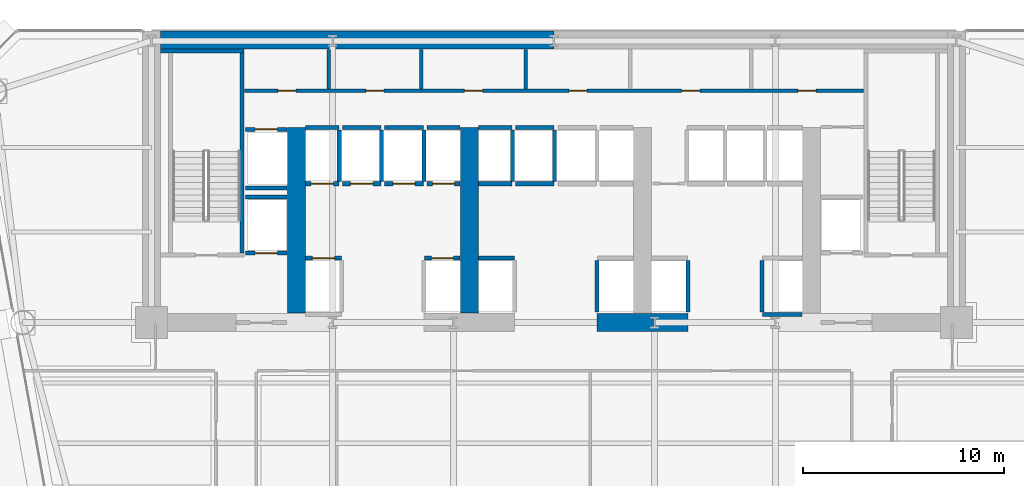
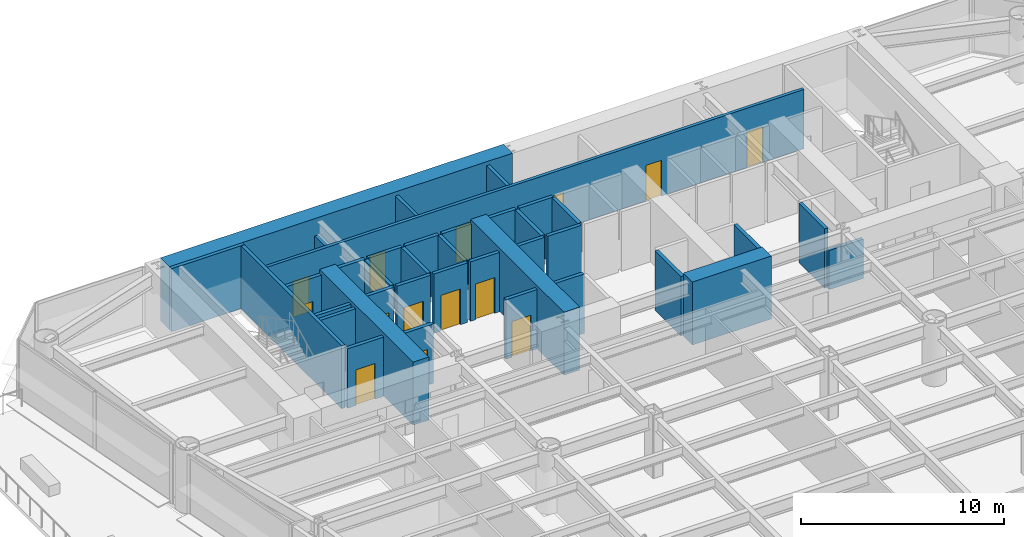
# One storey, part 9 of 14: 38 walls, 14 doors, 14 openings.
"""IFC4 building model written with IfcOpenShell, lengths in metres."""

from ifc_helpers import new_model, si_unit, direction, frame, frame_2d, origin, place, context, subcontext, project, spatial, rectangle, extrude, source, transform, mapped, material, layer, layer_set, type_object, element, fill, save


model = new_model("IFC4")

# Units and contexts
model_context = context("Model", 3, precision=1e-05, world=origin(), true_north=direction((0.0, 1.0)))
body_context = subcontext(model_context, "Body", "Model", "MODEL_VIEW")
ifc_project = project(units=[si_unit("LENGTHUNIT", "METRE"), si_unit("AREAUNIT", "SQUARE_METRE"), si_unit("VOLUMEUNIT", "CUBIC_METRE"), si_unit("PLANEANGLEUNIT", "RADIAN"), si_unit("MASSUNIT", "GRAM", prefix="KILO")], contexts=[model_context])

# Site, building, storey
site_placement = place(None, origin())
site = spatial("IfcSite", under=ifc_project, at=site_placement, CompositionType="ELEMENT")
building_placement = place(site_placement, origin())
building = spatial("IfcBuilding", under=site, at=building_placement, Name="Vaeldorn Concourse Tower", CompositionType="ELEMENT")
storey_placement = place(building_placement, frame((0.0, 0.0, 18.800048828125)))
storey = spatial("IfcBuildingStorey", under=building, at=storey_placement, Name="L04", CompositionType="ELEMENT", Elevation=18.800048828125)

# Walls
ifc_material_1 = material(Name="Concrete C60/75", Category="concrete")
ifc_layer_1 = layer(ifc_material_1, 0.89990234375)
ifc_layer_set_1 = layer_set([ifc_layer_1], Name="Concrete C60/75")
wall_type_1 = type_object("IfcWallType", Name="WL-CORE-900", PredefinedType="SHEAR", material=ifc_layer_set_1)
wall_1_placement = place(storey_placement, frame((14.4541015625, 50.550048828125, 0.0), z_axis=(0.0, 0.0, 1.0), x_axis=(1.0, 0.0, 0.0)))
element("IfcWall", 1, at=wall_1_placement, inside=storey, type_object=wall_type_1, Name="Rear Core Shear Wall L04 N1", PredefinedType="SHEAR", context=body_context, shape_type="SweptSolid", body=[
    extrude(rectangle(XDim=19.5439453125, YDim=0.89990234375, at=frame_2d((9.77197265625, 0.0))), origin(), (0.0, 0.0, 1.0), 3.800048828125),
])
wall_2_placement = place(storey_placement, frame((36.14990234375, 36.5, 0.0), z_axis=(0.0, 0.0, 1.0), x_axis=(1.0, 0.0, 0.0)))
element("IfcWall", 2, at=wall_2_placement, inside=storey, type_object=wall_type_1, Name="Rear Core Shear Wall L04 S3", PredefinedType="SHEAR", context=body_context, shape_type="SweptSolid", body=[
    extrude(rectangle(XDim=4.5, YDim=0.89990234375, at=frame_2d((2.25, 0.0))), origin(), (0.0, 0.0, 1.0), 3.800048828125),
])
for number, where, z_axis, x_axis, name in (
    (3, (21.199951171875, 36.969970703125, 0.0), (0.0, 0.0, 1.0), (0.0, 1.0, 0.0), "Rear Core Shear Wall L04 M1"),
    (4, (29.800048828125, 36.969970703125, 0.0), (0.0, 0.0, 1.0), (0.0, 1.0, 0.0), "Rear Core Shear Wall L04 M2"),
):
    element("IfcWall", number, at=place(storey_placement, frame(where, z_axis=z_axis, x_axis=x_axis)), inside=storey, type_object=wall_type_1, Name=name, PredefinedType="SHEAR", context=body_context, shape_type="SweptSolid", body=[
        extrude(rectangle(XDim=9.22998046875, YDim=0.89990234375, at=frame_2d((4.614990234375, 0.0))), origin(), (0.0, 0.0, 1.0), 3.800048828125),
    ])

# Wall, openings, doors
ifc_material_2 = material(Name="Gypsum Board Partition", Category="gypsum")
ifc_layer_2 = layer(ifc_material_2, 0.179931640625)
ifc_layer_set_2 = layer_set([ifc_layer_2], Name="Gypsum Board Partition")
wall_type_2 = type_object("IfcWallType", Name="WL-PLUMB-180", PredefinedType="PLUMBINGWALL", material=ifc_layer_set_2)
wall_3_placement = place(storey_placement, frame((18.6201171875, 48.02001953125, 0.0), z_axis=(0.0, 0.0, 1.0), x_axis=(1.0, 0.0, 0.0)))
wall_3 = element("IfcWall", 5, at=wall_3_placement, inside=storey, type_object=wall_type_2, Name="Interior Wall CW-L04-NS3", PredefinedType="PLUMBINGWALL", context=body_context, shape_type="SweptSolid", body=[
    extrude(rectangle(XDim=30.759765625, YDim=0.179931640625, at=frame_2d((15.3798828125, 0.0))), origin(), (0.0, 0.0, 1.0), 3.579833984375),
])
opening_1_placement = place(wall_3_placement, frame((1.655029296875, 0.0, 0.0)))
opening_1 = element("IfcOpeningElement", 6, at=opening_1_placement, cuts=wall_3, Name="Opening D-03", PredefinedType="OPENING", context=body_context, shape_type="SweptSolid", body=[
    extrude(rectangle(XDim=0.89990234375, YDim=2.14990234375, at=frame_2d((0.449951171875, 1.074951171875))), frame((0.0, 0.10009765625, 0.0), z_axis=(0.0, -1.0, 0.0), x_axis=(1.0, 0.0, 0.0)), (0.0, 0.0, 1.0), 0.199951171875),
])
opening_2_placement = place(wall_3_placement, frame((6.030029296875, 0.0, 0.0)))
opening_2 = element("IfcOpeningElement", 7, at=opening_2_placement, cuts=wall_3, Name="Opening D-03", PredefinedType="OPENING", context=body_context, shape_type="SweptSolid", body=[
    extrude(rectangle(XDim=0.89990234375, YDim=2.14990234375, at=frame_2d((0.449951171875, 1.074951171875))), frame((0.0, 0.10009765625, 0.0), z_axis=(0.0, -1.0, 0.0), x_axis=(1.0, 0.0, 0.0)), (0.0, 0.0, 1.0), 0.199951171875),
])
opening_3_placement = place(wall_3_placement, frame((10.929931640625, 0.0, 0.0)))
opening_3 = element("IfcOpeningElement", 8, at=opening_3_placement, cuts=wall_3, Name="Opening D-03", PredefinedType="OPENING", context=body_context, shape_type="SweptSolid", body=[
    extrude(rectangle(XDim=0.89990234375, YDim=2.14990234375, at=frame_2d((0.449951171875, 1.074951171875))), frame((0.0, 0.10009765625, 0.0), z_axis=(0.0, -1.0, 0.0), x_axis=(1.0, 0.0, 0.0)), (0.0, 0.0, 1.0), 0.199951171875),
])
opening_4_placement = place(wall_3_placement, frame((16.1298828125, 0.0, 0.0)))
opening_4 = element("IfcOpeningElement", 9, at=opening_4_placement, cuts=wall_3, Name="Opening D-03", PredefinedType="OPENING", context=body_context, shape_type="SweptSolid", body=[
    extrude(rectangle(XDim=0.89990234375, YDim=2.14990234375, at=frame_2d((0.449951171875, 1.074951171875))), frame((0.0, 0.10009765625, 0.0), z_axis=(0.0, -1.0, 0.0), x_axis=(1.0, 0.0, 0.0)), (0.0, 0.0, 1.0), 0.199951171875),
])
opening_5_placement = place(wall_3_placement, frame((21.72998046875, 0.0, 0.0)))
opening_5 = element("IfcOpeningElement", 10, at=opening_5_placement, cuts=wall_3, Name="Opening D-03", PredefinedType="OPENING", context=body_context, shape_type="SweptSolid", body=[
    extrude(rectangle(XDim=0.89990234375, YDim=2.14990234375, at=frame_2d((0.449951171875, 1.074951171875))), frame((0.0, 0.10009765625, 0.0), z_axis=(0.0, -1.0, 0.0), x_axis=(1.0, 0.0, 0.0)), (0.0, 0.0, 1.0), 0.199951171875),
])
opening_6_placement = place(wall_3_placement, frame((27.5048828125, 0.0, 0.0)))
opening_6 = element("IfcOpeningElement", 11, at=opening_6_placement, cuts=wall_3, Name="Opening D-03", PredefinedType="OPENING", context=body_context, shape_type="SweptSolid", body=[
    extrude(rectangle(XDim=0.89990234375, YDim=2.14990234375, at=frame_2d((0.449951171875, 1.074951171875))), frame((0.0, 0.10009765625, 0.0), z_axis=(0.0, -1.0, 0.0), x_axis=(1.0, 0.0, 0.0)), (0.0, 0.0, 1.0), 0.199951171875),
])
ifc_material_3 = material(Name="Acoustic Bronze-Framed Glass Door", Category="glass")
door_type_1 = type_object("IfcDoorType", Name="DR-INT-900", OperationType="NOTDEFINED", PredefinedType="DOOR", material=ifc_material_3)
shared_shape_1 = source(origin(), body_context, "Body", "SweptSolid", [
    extrude(rectangle(XDim=0.89990234375, YDim=2.14990234375, at=frame_2d((0.449951171875, 1.074951171875))), frame((0.0, 0.02490234375, 0.0), z_axis=(0.0, -1.0, 0.0), x_axis=(1.0, 0.0, 0.0)), (0.0, 0.0, 1.0), 0.050048828125),
])
door_1_placement = place(opening_1_placement, origin())
door_1 = element("IfcDoor", 12, at=door_1_placement, inside=storey, type_object=door_type_1, Name="Interior Door DR-L04-CS1", OperationType="SINGLE_SWING_LEFT", OverallHeight=2.14990234375, OverallWidth=0.89990234375, PredefinedType="DOOR", context=body_context, shape_type="MappedRepresentation", body=[
    mapped(shared_shape_1, transform((0.0, 0.0, 0.0), scale=1.0)),
])
fill(opening_1, door_1)
door_2_placement = place(opening_2_placement, origin())
door_2 = element("IfcDoor", 13, at=door_2_placement, inside=storey, type_object=door_type_1, Name="Interior Door DR-L04-CS2", OperationType="SINGLE_SWING_RIGHT", OverallHeight=2.14990234375, OverallWidth=0.89990234375, PredefinedType="DOOR", context=body_context, shape_type="MappedRepresentation", body=[
    mapped(shared_shape_1, transform((0.0, 0.0, 0.0), scale=1.0)),
])
fill(opening_2, door_2)
door_3_placement = place(opening_3_placement, origin())
door_3 = element("IfcDoor", 14, at=door_3_placement, inside=storey, type_object=door_type_1, Name="Interior Door DR-L04-CS3", OperationType="SINGLE_SWING_LEFT", OverallHeight=2.14990234375, OverallWidth=0.89990234375, PredefinedType="DOOR", context=body_context, shape_type="MappedRepresentation", body=[
    mapped(shared_shape_1, transform((0.0, 0.0, 0.0), scale=1.0)),
])
fill(opening_3, door_3)
door_4_placement = place(opening_4_placement, origin())
door_4 = element("IfcDoor", 15, at=door_4_placement, inside=storey, type_object=door_type_1, Name="Interior Door DR-L04-CS4", OperationType="SINGLE_SWING_RIGHT", OverallHeight=2.14990234375, OverallWidth=0.89990234375, PredefinedType="DOOR", context=body_context, shape_type="MappedRepresentation", body=[
    mapped(shared_shape_1, transform((0.0, 0.0, 0.0), scale=1.0)),
])
fill(opening_4, door_4)
door_5_placement = place(opening_5_placement, origin())
door_5 = element("IfcDoor", 16, at=door_5_placement, inside=storey, type_object=door_type_1, Name="Interior Door DR-L04-CS5", OperationType="SINGLE_SWING_LEFT", OverallHeight=2.14990234375, OverallWidth=0.89990234375, PredefinedType="DOOR", context=body_context, shape_type="MappedRepresentation", body=[
    mapped(shared_shape_1, transform((0.0, 0.0, 0.0), scale=1.0)),
])
fill(opening_5, door_5)
door_6_placement = place(opening_6_placement, origin())
door_6 = element("IfcDoor", 17, at=door_6_placement, inside=storey, type_object=door_type_1, Name="Interior Door DR-L04-CS6", OperationType="SINGLE_SWING_RIGHT", OverallHeight=2.14990234375, OverallWidth=0.89990234375, PredefinedType="DOOR", context=body_context, shape_type="MappedRepresentation", body=[
    mapped(shared_shape_1, transform((0.0, 0.0, 0.0), scale=1.0)),
])
fill(opening_6, door_6)

# Walls
wall_4_placement = place(storey_placement, frame((22.800048828125, 48.10009765625, 0.0), z_axis=(0.0, 0.0, 1.0), x_axis=(0.0, 1.0, 0.0)))
element("IfcWall", 18, at=wall_4_placement, inside=storey, type_object=wall_type_2, Name="Interior Wall CW-L04-NDIV1", PredefinedType="PLUMBINGWALL", context=body_context, shape_type="SweptSolid", body=[
    extrude(rectangle(XDim=1.97998046875, YDim=0.179931640625, at=frame_2d((0.989990234375, 0.0))), origin(), (0.0, 0.0, 1.0), 2.77001953125),
])
for number, where, z_axis, x_axis, name in (
    (19, (27.39990234375, 48.10009765625, 0.0), (0.0, 0.0, 1.0), (0.0, 1.0, 0.0), "Interior Wall CW-L04-NDIV2"),
    (20, (32.60009765625, 48.10009765625, 0.0), (0.0, 0.0, 1.0), (0.0, 1.0, 0.0), "Interior Wall CW-L04-NDIV3"),
):
    element("IfcWall", number, at=place(storey_placement, frame(where, z_axis=z_axis, x_axis=x_axis)), inside=storey, type_object=wall_type_2, Name=name, PredefinedType="PLUMBINGWALL", context=body_context, shape_type="SweptSolid", body=[
        extrude(rectangle(XDim=1.97998046875, YDim=0.179931640625, at=frame_2d((0.989990234375, 0.0))), origin(), (0.0, 0.0, 1.0), 3.579833984375),
    ])
ifc_material_4 = material(Name="Concrete C50/60", Category="concrete")
ifc_layer_3 = layer(ifc_material_4, 0.199951171875)
ifc_layer_set_3 = layer_set([ifc_layer_3], Name="Concrete C50/60")
wall_type_3 = type_object("IfcWallType", Name="WL-SHAFT-200", PredefinedType="SOLIDWALL", material=ifc_layer_set_3)
wall_5_placement = place(storey_placement, frame((14.449951171875, 50.0, 0.0), z_axis=(0.0, 0.0, 1.0), x_axis=(1.0, 0.0, 0.0)))
element("IfcWall", 21, at=wall_5_placement, inside=storey, type_object=wall_type_3, Name="Stair Shaft Wall CW-L04-ST-1-N", PredefinedType="SOLIDWALL", context=body_context, shape_type="SweptSolid", body=[
    extrude(rectangle(XDim=4.150146484375, YDim=0.199951171875, at=frame_2d((2.0751953125, 0.0))), origin(), (0.0, 0.0, 1.0), 3.800048828125),
])
wall_6_placement = place(storey_placement, frame((18.5, 39.9599609375, 0.0), z_axis=(0.0, 0.0, 1.0), x_axis=(0.0, 1.0, 0.0)))
element("IfcWall", 22, at=wall_6_placement, inside=storey, type_object=wall_type_3, Name="Stair Shaft Wall CW-L04-ST-1-E", PredefinedType="SOLIDWALL", context=body_context, shape_type="SweptSolid", body=[
    extrude(rectangle(XDim=9.929931640625, YDim=0.199951171875, at=frame_2d((4.96484375, 0.0))), origin(), (0.0, 0.0, 1.0), 3.800048828125),
])

# Wall, opening, door
wall_7_placement = place(storey_placement, frame((21.659912109375, 39.699951171875, 0.0), z_axis=(0.0, 0.0, 1.0), x_axis=(1.0, 0.0, 0.0)))
wall_7 = element("IfcWall", 23, at=wall_7_placement, inside=storey, type_object=wall_type_3, Name="Interior Wall CW-L04-LF-LF-01", PredefinedType="SOLIDWALL", context=body_context, shape_type="SweptSolid", body=[
    extrude(rectangle(XDim=1.77001953125, YDim=0.199951171875, at=frame_2d((0.885009765625, 0.0))), origin(), (0.0, 0.0, 1.0), 3.579833984375),
])
opening_7_placement = place(wall_7_placement, frame((0.3349609375, 0.0, 0.0)))
opening_7 = element("IfcOpeningElement", 24, at=opening_7_placement, cuts=wall_7, Name="Opening LD-1", PredefinedType="OPENING", context=body_context, shape_type="SweptSolid", body=[
    extrude(rectangle(XDim=1.10009765625, YDim=2.14990234375, at=frame_2d((0.550048828125, 1.074951171875))), frame((0.0, 0.10986328125, 0.0), z_axis=(0.0, -1.0, 0.0), x_axis=(1.0, 0.0, 0.0)), (0.0, 0.0, 1.0), 0.219970703125),
])
ifc_material_5 = material(Name="Anodised Bronze Aluminium", Category="aluminium")
door_type_2 = type_object("IfcDoorType", Name="DR-LIFT-SLIDE-1100", OperationType="DOUBLE_DOOR_SLIDING", PredefinedType="DOOR", material=ifc_material_5)
shared_shape_2 = source(origin(), body_context, "Body", "SweptSolid", [
    extrude(rectangle(XDim=1.10009765625, YDim=2.14990234375, at=frame_2d((0.550048828125, 1.074951171875))), frame((0.0, 0.02490234375, 0.0), z_axis=(0.0, -1.0, 0.0), x_axis=(1.0, 0.0, 0.0)), (0.0, 0.0, 1.0), 0.050048828125),
])
door_7_placement = place(opening_7_placement, origin())
door_7 = element("IfcDoor", 25, at=door_7_placement, inside=storey, type_object=door_type_2, Name="Lift Landing Door LD-L04-LF-01", OperationType="DOUBLE_DOOR_SLIDING", OverallHeight=2.14990234375, OverallWidth=1.10009765625, PredefinedType="DOOR", context=body_context, shape_type="MappedRepresentation", body=[
    mapped(shared_shape_2, transform((0.0, 0.0, 0.0), scale=1.0)),
])
fill(opening_7, door_7)

wall_8_placement = place(storey_placement, frame((27.570068359375, 39.699951171875, 0.0), z_axis=(0.0, 0.0, 1.0), x_axis=(1.0, 0.0, 0.0)))
wall_8 = element("IfcWall", 26, at=wall_8_placement, inside=storey, type_object=wall_type_3, Name="Interior Wall CW-L04-LF-LF-02", PredefinedType="SOLIDWALL", context=body_context, shape_type="SweptSolid", body=[
    extrude(rectangle(XDim=1.77001953125, YDim=0.199951171875, at=frame_2d((0.885009765625, 0.0))), origin(), (0.0, 0.0, 1.0), 3.579833984375),
])
opening_8_placement = place(wall_8_placement, frame((0.3349609375, 0.0, 0.0)))
opening_8 = element("IfcOpeningElement", 27, at=opening_8_placement, cuts=wall_8, Name="Opening LD-1", PredefinedType="OPENING", context=body_context, shape_type="SweptSolid", body=[
    extrude(rectangle(XDim=1.10009765625, YDim=2.14990234375, at=frame_2d((0.550048828125, 1.074951171875))), frame((0.0, 0.10986328125, 0.0), z_axis=(0.0, -1.0, 0.0), x_axis=(1.0, 0.0, 0.0)), (0.0, 0.0, 1.0), 0.219970703125),
])
door_8_placement = place(opening_8_placement, origin())
door_8 = element("IfcDoor", 28, at=door_8_placement, inside=storey, type_object=door_type_2, Name="Lift Landing Door LD-L04-LF-02", OperationType="DOUBLE_DOOR_SLIDING", OverallHeight=2.14990234375, OverallWidth=1.10009765625, PredefinedType="DOOR", context=body_context, shape_type="MappedRepresentation", body=[
    mapped(shared_shape_2, transform((0.0, 0.0, 0.0), scale=1.0)),
])
fill(opening_8, door_8)

wall_9_placement = place(storey_placement, frame((21.659912109375, 43.39990234375, 0.0), z_axis=(0.0, 0.0, 1.0), x_axis=(1.0, 0.0, 0.0)))
wall_9 = element("IfcWall", 29, at=wall_9_placement, inside=storey, type_object=wall_type_3, Name="Interior Wall CW-L04-LF-LF-03", PredefinedType="SOLIDWALL", context=body_context, shape_type="SweptSolid", body=[
    extrude(rectangle(XDim=1.650146484375, YDim=0.199951171875, at=frame_2d((0.8251953125, 0.0))), origin(), (0.0, 0.0, 1.0), 3.579833984375),
])
opening_9_placement = place(wall_9_placement, frame((0.27490234375, 0.0, 0.0)))
opening_9 = element("IfcOpeningElement", 30, at=opening_9_placement, cuts=wall_9, Name="Opening LD-1", PredefinedType="OPENING", context=body_context, shape_type="SweptSolid", body=[
    extrude(rectangle(XDim=1.10009765625, YDim=2.14990234375, at=frame_2d((0.550048828125, 1.074951171875))), frame((0.0, 0.10986328125, 0.0), z_axis=(0.0, -1.0, 0.0), x_axis=(1.0, 0.0, 0.0)), (0.0, 0.0, 1.0), 0.219970703125),
])
door_9_placement = place(opening_9_placement, origin())
door_9 = element("IfcDoor", 31, at=door_9_placement, inside=storey, type_object=door_type_2, Name="Lift Landing Door LD-L04-LF-03", OperationType="DOUBLE_DOOR_SLIDING", OverallHeight=2.14990234375, OverallWidth=1.10009765625, PredefinedType="DOOR", context=body_context, shape_type="MappedRepresentation", body=[
    mapped(shared_shape_2, transform((0.0, 0.0, 0.0), scale=1.0)),
])
fill(opening_9, door_9)

# Walls
wall_10_placement = place(storey_placement, frame((21.659912109375, 46.199951171875, 0.0), z_axis=(0.0, 0.0, 1.0), x_axis=(1.0, 0.0, 0.0)))
element("IfcWall", 32, at=wall_10_placement, inside=storey, type_object=wall_type_3, Name="Interior Wall CW-L04-LFB-LF-03", PredefinedType="SOLIDWALL", context=body_context, shape_type="SweptSolid", body=[
    extrude(rectangle(XDim=1.650146484375, YDim=0.199951171875, at=frame_2d((0.8251953125, 0.0))), origin(), (0.0, 0.0, 1.0), 3.579833984375),
])
wall_11_placement = place(storey_placement, frame((23.330078125, 43.52001953125, 0.0), z_axis=(0.0, 0.0, 1.0), x_axis=(0.0, 1.0, 0.0)))
element("IfcWall", 33, at=wall_11_placement, inside=storey, type_object=wall_type_3, Name="Interior Wall CW-L04-LFE-LF-03", PredefinedType="SOLIDWALL", context=body_context, shape_type="SweptSolid", body=[
    extrude(rectangle(XDim=2.56005859375, YDim=0.199951171875, at=frame_2d((1.280029296875, 0.0))), origin(), (0.0, 0.0, 1.0), 3.579833984375),
])

# Wall, opening, door
wall_12_placement = place(storey_placement, frame((23.489990234375, 43.39990234375, 0.0), z_axis=(0.0, 0.0, 1.0), x_axis=(1.0, 0.0, 0.0)))
wall_12 = element("IfcWall", 34, at=wall_12_placement, inside=storey, type_object=wall_type_3, Name="Interior Wall CW-L04-LF-LF-04", PredefinedType="SOLIDWALL", context=body_context, shape_type="SweptSolid", body=[
    extrude(rectangle(XDim=1.919921875, YDim=0.199951171875, at=frame_2d((0.9599609375, 0.0))), origin(), (0.0, 0.0, 1.0), 3.579833984375),
])
opening_10_placement = place(wall_12_placement, frame((0.409912109375, 0.0, 0.0)))
opening_10 = element("IfcOpeningElement", 35, at=opening_10_placement, cuts=wall_12, Name="Opening LD-1", PredefinedType="OPENING", context=body_context, shape_type="SweptSolid", body=[
    extrude(rectangle(XDim=1.10009765625, YDim=2.14990234375, at=frame_2d((0.550048828125, 1.074951171875))), frame((0.0, 0.10986328125, 0.0), z_axis=(0.0, -1.0, 0.0), x_axis=(1.0, 0.0, 0.0)), (0.0, 0.0, 1.0), 0.219970703125),
])
door_10_placement = place(opening_10_placement, origin())
door_10 = element("IfcDoor", 36, at=door_10_placement, inside=storey, type_object=door_type_2, Name="Lift Landing Door LD-L04-LF-04", OperationType="DOUBLE_DOOR_SLIDING", OverallHeight=2.14990234375, OverallWidth=1.10009765625, PredefinedType="DOOR", context=body_context, shape_type="MappedRepresentation", body=[
    mapped(shared_shape_2, transform((0.0, 0.0, 0.0), scale=1.0)),
])
fill(opening_10, door_10)

# Walls
wall_13_placement = place(storey_placement, frame((23.489990234375, 46.199951171875, 0.0), z_axis=(0.0, 0.0, 1.0), x_axis=(1.0, 0.0, 0.0)))
element("IfcWall", 37, at=wall_13_placement, inside=storey, type_object=wall_type_3, Name="Interior Wall CW-L04-LFB-LF-04", PredefinedType="SOLIDWALL", context=body_context, shape_type="SweptSolid", body=[
    extrude(rectangle(XDim=1.919921875, YDim=0.199951171875, at=frame_2d((0.9599609375, 0.0))), origin(), (0.0, 0.0, 1.0), 3.579833984375),
])
wall_14_placement = place(storey_placement, frame((25.429931640625, 43.52001953125, 0.0), z_axis=(0.0, 0.0, 1.0), x_axis=(0.0, 1.0, 0.0)))
element("IfcWall", 38, at=wall_14_placement, inside=storey, type_object=wall_type_3, Name="Interior Wall CW-L04-LFE-LF-04", PredefinedType="SOLIDWALL", context=body_context, shape_type="SweptSolid", body=[
    extrude(rectangle(XDim=2.56005859375, YDim=0.199951171875, at=frame_2d((1.280029296875, 0.0))), origin(), (0.0, 0.0, 1.0), 3.579833984375),
])

# Wall, opening, door
wall_15_placement = place(storey_placement, frame((25.590087890625, 43.39990234375, 0.0), z_axis=(0.0, 0.0, 1.0), x_axis=(1.0, 0.0, 0.0)))
wall_15 = element("IfcWall", 39, at=wall_15_placement, inside=storey, type_object=wall_type_3, Name="Interior Wall CW-L04-LF-LF-05", PredefinedType="SOLIDWALL", context=body_context, shape_type="SweptSolid", body=[
    extrude(rectangle(XDim=1.919921875, YDim=0.199951171875, at=frame_2d((0.9599609375, 0.0))), origin(), (0.0, 0.0, 1.0), 3.579833984375),
])
opening_11_placement = place(wall_15_placement, frame((0.409912109375, 0.0, 0.0)))
opening_11 = element("IfcOpeningElement", 40, at=opening_11_placement, cuts=wall_15, Name="Opening LD-1", PredefinedType="OPENING", context=body_context, shape_type="SweptSolid", body=[
    extrude(rectangle(XDim=1.10009765625, YDim=2.14990234375, at=frame_2d((0.550048828125, 1.074951171875))), frame((0.0, 0.10986328125, 0.0), z_axis=(0.0, -1.0, 0.0), x_axis=(1.0, 0.0, 0.0)), (0.0, 0.0, 1.0), 0.219970703125),
])
door_11_placement = place(opening_11_placement, origin())
door_11 = element("IfcDoor", 41, at=door_11_placement, inside=storey, type_object=door_type_2, Name="Lift Landing Door LD-L04-LF-05", OperationType="DOUBLE_DOOR_SLIDING", OverallHeight=2.14990234375, OverallWidth=1.10009765625, PredefinedType="DOOR", context=body_context, shape_type="MappedRepresentation", body=[
    mapped(shared_shape_2, transform((0.0, 0.0, 0.0), scale=1.0)),
])
fill(opening_11, door_11)

# Walls
wall_16_placement = place(storey_placement, frame((25.590087890625, 46.199951171875, 0.0), z_axis=(0.0, 0.0, 1.0), x_axis=(1.0, 0.0, 0.0)))
element("IfcWall", 42, at=wall_16_placement, inside=storey, type_object=wall_type_3, Name="Interior Wall CW-L04-LFB-LF-05", PredefinedType="SOLIDWALL", context=body_context, shape_type="SweptSolid", body=[
    extrude(rectangle(XDim=1.919921875, YDim=0.199951171875, at=frame_2d((0.9599609375, 0.0))), origin(), (0.0, 0.0, 1.0), 3.579833984375),
])
wall_17_placement = place(storey_placement, frame((27.530029296875, 43.52001953125, 0.0), z_axis=(0.0, 0.0, 1.0), x_axis=(0.0, 1.0, 0.0)))
element("IfcWall", 43, at=wall_17_placement, inside=storey, type_object=wall_type_3, Name="Interior Wall CW-L04-LFE-LF-05", PredefinedType="SOLIDWALL", context=body_context, shape_type="SweptSolid", body=[
    extrude(rectangle(XDim=2.56005859375, YDim=0.199951171875, at=frame_2d((1.280029296875, 0.0))), origin(), (0.0, 0.0, 1.0), 3.579833984375),
])

# Wall, opening, door
wall_18_placement = place(storey_placement, frame((27.68994140625, 43.39990234375, 0.0), z_axis=(0.0, 0.0, 1.0), x_axis=(1.0, 0.0, 0.0)))
wall_18 = element("IfcWall", 44, at=wall_18_placement, inside=storey, type_object=wall_type_3, Name="Interior Wall CW-L04-LF-LF-06", PredefinedType="SOLIDWALL", context=body_context, shape_type="SweptSolid", body=[
    extrude(rectangle(XDim=1.650146484375, YDim=0.199951171875, at=frame_2d((0.8251953125, 0.0))), origin(), (0.0, 0.0, 1.0), 3.579833984375),
])
opening_12_placement = place(wall_18_placement, frame((0.27490234375, 0.0, 0.0)))
opening_12 = element("IfcOpeningElement", 45, at=opening_12_placement, cuts=wall_18, Name="Opening LD-1", PredefinedType="OPENING", context=body_context, shape_type="SweptSolid", body=[
    extrude(rectangle(XDim=1.10009765625, YDim=2.14990234375, at=frame_2d((0.550048828125, 1.074951171875))), frame((0.0, 0.10986328125, 0.0), z_axis=(0.0, -1.0, 0.0), x_axis=(1.0, 0.0, 0.0)), (0.0, 0.0, 1.0), 0.219970703125),
])
door_12_placement = place(opening_12_placement, origin())
door_12 = element("IfcDoor", 46, at=door_12_placement, inside=storey, type_object=door_type_2, Name="Lift Landing Door LD-L04-LF-06", OperationType="DOUBLE_DOOR_SLIDING", OverallHeight=2.14990234375, OverallWidth=1.10009765625, PredefinedType="DOOR", context=body_context, shape_type="MappedRepresentation", body=[
    mapped(shared_shape_2, transform((0.0, 0.0, 0.0), scale=1.0)),
])
fill(opening_12, door_12)

# Walls
wall_19_placement = place(storey_placement, frame((27.68994140625, 46.199951171875, 0.0), z_axis=(0.0, 0.0, 1.0), x_axis=(1.0, 0.0, 0.0)))
element("IfcWall", 47, at=wall_19_placement, inside=storey, type_object=wall_type_3, Name="Interior Wall CW-L04-LFB-LF-06", PredefinedType="SOLIDWALL", context=body_context, shape_type="SweptSolid", body=[
    extrude(rectangle(XDim=1.650146484375, YDim=0.199951171875, at=frame_2d((0.8251953125, 0.0))), origin(), (0.0, 0.0, 1.0), 3.579833984375),
])
wall_20_placement = place(storey_placement, frame((30.260009765625, 39.699951171875, 0.0), z_axis=(0.0, 0.0, 1.0), x_axis=(1.0, 0.0, 0.0)))
element("IfcWall", 48, at=wall_20_placement, inside=storey, type_object=wall_type_3, Name="Interior Wall CW-L04-LF-LF-07", PredefinedType="SOLIDWALL", context=body_context, shape_type="SweptSolid", body=[
    extrude(rectangle(XDim=1.77001953125, YDim=0.199951171875, at=frame_2d((0.885009765625, 0.0))), origin(), (0.0, 0.0, 1.0), 3.579833984375),
])
wall_21_placement = place(storey_placement, frame((36.14990234375, 37.02001953125, 0.0), z_axis=(0.0, 0.0, 1.0), x_axis=(0.0, 1.0, 0.0)))
element("IfcWall", 49, at=wall_21_placement, inside=storey, type_object=wall_type_3, Name="Interior Wall CW-L04-LFW-LF-08", PredefinedType="SOLIDWALL", context=body_context, shape_type="SweptSolid", body=[
    extrude(rectangle(XDim=2.56005859375, YDim=0.199951171875, at=frame_2d((1.280029296875, 0.0))), origin(), (0.0, 0.0, 1.0), 3.579833984375),
])
for number, where, z_axis, x_axis, name in (
    (50, (30.260009765625, 43.39990234375, 0.0), (0.0, 0.0, 1.0), (1.0, 0.0, 0.0), "Interior Wall CW-L04-LF-LF-09"),
    (51, (30.260009765625, 46.199951171875, 0.0), (0.0, 0.0, 1.0), (1.0, 0.0, 0.0), "Interior Wall CW-L04-LFB-LF-09"),
):
    element("IfcWall", number, at=place(storey_placement, frame(where, z_axis=z_axis, x_axis=x_axis)), inside=storey, type_object=wall_type_3, Name=name, PredefinedType="SOLIDWALL", context=body_context, shape_type="SweptSolid", body=[
        extrude(rectangle(XDim=1.64990234375, YDim=0.199951171875, at=frame_2d((0.824951171875, 0.0))), origin(), (0.0, 0.0, 1.0), 3.579833984375),
    ])
wall_22_placement = place(storey_placement, frame((31.929931640625, 43.52001953125, 0.0), z_axis=(0.0, 0.0, 1.0), x_axis=(0.0, 1.0, 0.0)))
element("IfcWall", 52, at=wall_22_placement, inside=storey, type_object=wall_type_3, Name="Interior Wall CW-L04-LFE-LF-09", PredefinedType="SOLIDWALL", context=body_context, shape_type="SweptSolid", body=[
    extrude(rectangle(XDim=2.56005859375, YDim=0.199951171875, at=frame_2d((1.280029296875, 0.0))), origin(), (0.0, 0.0, 1.0), 3.579833984375),
])
for number, where, z_axis, x_axis, name in (
    (53, (32.090087890625, 43.39990234375, 0.0), (0.0, 0.0, 1.0), (1.0, 0.0, 0.0), "Interior Wall CW-L04-LF-LF-10"),
    (54, (32.090087890625, 46.199951171875, 0.0), (0.0, 0.0, 1.0), (1.0, 0.0, 0.0), "Interior Wall CW-L04-LFB-LF-10"),
):
    element("IfcWall", number, at=place(storey_placement, frame(where, z_axis=z_axis, x_axis=x_axis)), inside=storey, type_object=wall_type_3, Name=name, PredefinedType="SOLIDWALL", context=body_context, shape_type="SweptSolid", body=[
        extrude(rectangle(XDim=1.919921875, YDim=0.199951171875, at=frame_2d((0.9599609375, 0.0))), origin(), (0.0, 0.0, 1.0), 3.579833984375),
    ])
for number, where, z_axis, x_axis, name in (
    (55, (34.030029296875, 43.52001953125, 0.0), (0.0, 0.0, 1.0), (0.0, 1.0, 0.0), "Interior Wall CW-L04-LFE-LF-10"),
    (56, (40.64990234375, 37.02001953125, 0.0), (0.0, 0.0, 1.0), (0.0, 1.0, 0.0), "Interior Wall CW-L04-LFE-LF-13"),
):
    element("IfcWall", number, at=place(storey_placement, frame(where, z_axis=z_axis, x_axis=x_axis)), inside=storey, type_object=wall_type_3, Name=name, PredefinedType="SOLIDWALL", context=body_context, shape_type="SweptSolid", body=[
        extrude(rectangle(XDim=2.56005859375, YDim=0.199951171875, at=frame_2d((1.280029296875, 0.0))), origin(), (0.0, 0.0, 1.0), 3.579833984375),
    ])
wall_23_placement = place(storey_placement, frame((44.3701171875, 36.89990234375, 0.0), z_axis=(0.0, 0.0, 1.0), x_axis=(1.0, 0.0, 0.0)))
element("IfcWall", 57, at=wall_23_placement, inside=storey, type_object=wall_type_3, Name="Interior Wall CW-L04-LFB-LF-14", PredefinedType="SOLIDWALL", context=body_context, shape_type="SweptSolid", body=[
    extrude(rectangle(XDim=1.9599609375, YDim=0.199951171875, at=frame_2d((0.97998046875, 0.0))), origin(), (0.0, 0.0, 1.0), 2.369873046875),
])
wall_24_placement = place(storey_placement, frame((44.35009765625, 37.02001953125, 0.0), z_axis=(0.0, 0.0, 1.0), x_axis=(0.0, 1.0, 0.0)))
element("IfcWall", 58, at=wall_24_placement, inside=storey, type_object=wall_type_3, Name="Interior Wall CW-L04-LFW-LF-14", PredefinedType="SOLIDWALL", context=body_context, shape_type="SweptSolid", body=[
    extrude(rectangle(XDim=2.56005859375, YDim=0.199951171875, at=frame_2d((1.280029296875, 0.0))), origin(), (0.0, 0.0, 1.0), 3.579833984375),
])

# Wall, opening, door
wall_25_placement = place(storey_placement, frame((18.669921875, 46.10009765625, 0.0), z_axis=(0.0, 0.0, 1.0), x_axis=(1.0, 0.0, 0.0)))
wall_25 = element("IfcWall", 59, at=wall_25_placement, inside=storey, type_object=wall_type_3, Name="Interior Wall CW-L04-LF-LF-SV1", PredefinedType="SOLIDWALL", context=body_context, shape_type="SweptSolid", body=[
    extrude(rectangle(XDim=2.070068359375, YDim=0.199951171875, at=frame_2d((1.03515625, 0.0))), origin(), (0.0, 0.0, 1.0), 3.579833984375),
])
opening_13_placement = place(wall_25_placement, frame((0.485107421875, 0.0, 0.0)))
opening_13 = element("IfcOpeningElement", 60, at=opening_13_placement, cuts=wall_25, Name="Opening LD-1", PredefinedType="OPENING", context=body_context, shape_type="SweptSolid", body=[
    extrude(rectangle(XDim=1.10009765625, YDim=2.14990234375, at=frame_2d((0.550048828125, 1.074951171875))), frame((0.0, 0.10986328125, 0.0), z_axis=(0.0, -1.0, 0.0), x_axis=(1.0, 0.0, 0.0)), (0.0, 0.0, 1.0), 0.219970703125),
])
door_13_placement = place(opening_13_placement, origin())
door_13 = element("IfcDoor", 61, at=door_13_placement, inside=storey, type_object=door_type_2, Name="Lift Landing Door LD-L04-LF-SV1", OperationType="DOUBLE_DOOR_SLIDING", OverallHeight=2.14990234375, OverallWidth=1.10009765625, PredefinedType="DOOR", context=body_context, shape_type="MappedRepresentation", body=[
    mapped(shared_shape_2, transform((0.0, 0.0, 0.0), scale=1.0)),
])
fill(opening_13, door_13)

# Wall
wall_26_placement = place(storey_placement, frame((18.669921875, 43.199951171875, 0.0), z_axis=(0.0, 0.0, 1.0), x_axis=(1.0, 0.0, 0.0)))
element("IfcWall", 62, at=wall_26_placement, inside=storey, type_object=wall_type_3, Name="Interior Wall CW-L04-LFB-LF-SV1", PredefinedType="SOLIDWALL", context=body_context, shape_type="SweptSolid", body=[
    extrude(rectangle(XDim=2.070068359375, YDim=0.199951171875, at=frame_2d((1.03515625, 0.0))), origin(), (0.0, 0.0, 1.0), 3.579833984375),
])

# Wall, opening, door
wall_27_placement = place(storey_placement, frame((18.669921875, 39.949951171875, 0.0), z_axis=(0.0, 0.0, 1.0), x_axis=(1.0, 0.0, 0.0)))
wall_27 = element("IfcWall", 63, at=wall_27_placement, inside=storey, type_object=wall_type_3, Name="Interior Wall CW-L04-LF-LF-FF1", PredefinedType="SOLIDWALL", context=body_context, shape_type="SweptSolid", body=[
    extrude(rectangle(XDim=2.070068359375, YDim=0.199951171875, at=frame_2d((1.03515625, 0.0))), origin(), (0.0, 0.0, 1.0), 3.579833984375),
])
opening_14_placement = place(wall_27_placement, frame((0.485107421875, 0.0, 0.0)))
opening_14 = element("IfcOpeningElement", 64, at=opening_14_placement, cuts=wall_27, Name="Opening LD-1", PredefinedType="OPENING", context=body_context, shape_type="SweptSolid", body=[
    extrude(rectangle(XDim=1.10009765625, YDim=2.14990234375, at=frame_2d((0.550048828125, 1.074951171875))), frame((0.0, 0.10986328125, 0.0), z_axis=(0.0, -1.0, 0.0), x_axis=(1.0, 0.0, 0.0)), (0.0, 0.0, 1.0), 0.219970703125),
])
door_14_placement = place(opening_14_placement, origin())
door_14 = element("IfcDoor", 65, at=door_14_placement, inside=storey, type_object=door_type_2, Name="Lift Landing Door LD-L04-LF-FF1", OperationType="DOUBLE_DOOR_SLIDING", OverallHeight=2.14990234375, OverallWidth=1.10009765625, PredefinedType="DOOR", context=body_context, shape_type="MappedRepresentation", body=[
    mapped(shared_shape_2, transform((0.0, 0.0, 0.0), scale=1.0)),
])
fill(opening_14, door_14)

# Wall
wall_28_placement = place(storey_placement, frame((18.669921875, 42.75, 0.0), z_axis=(0.0, 0.0, 1.0), x_axis=(1.0, 0.0, 0.0)))
element("IfcWall", 66, at=wall_28_placement, inside=storey, type_object=wall_type_3, Name="Interior Wall CW-L04-LFB-LF-FF1", PredefinedType="SOLIDWALL", context=body_context, shape_type="SweptSolid", body=[
    extrude(rectangle(XDim=2.070068359375, YDim=0.199951171875, at=frame_2d((1.03515625, 0.0))), origin(), (0.0, 0.0, 1.0), 3.579833984375),
])

save(model, "model.ifc")
